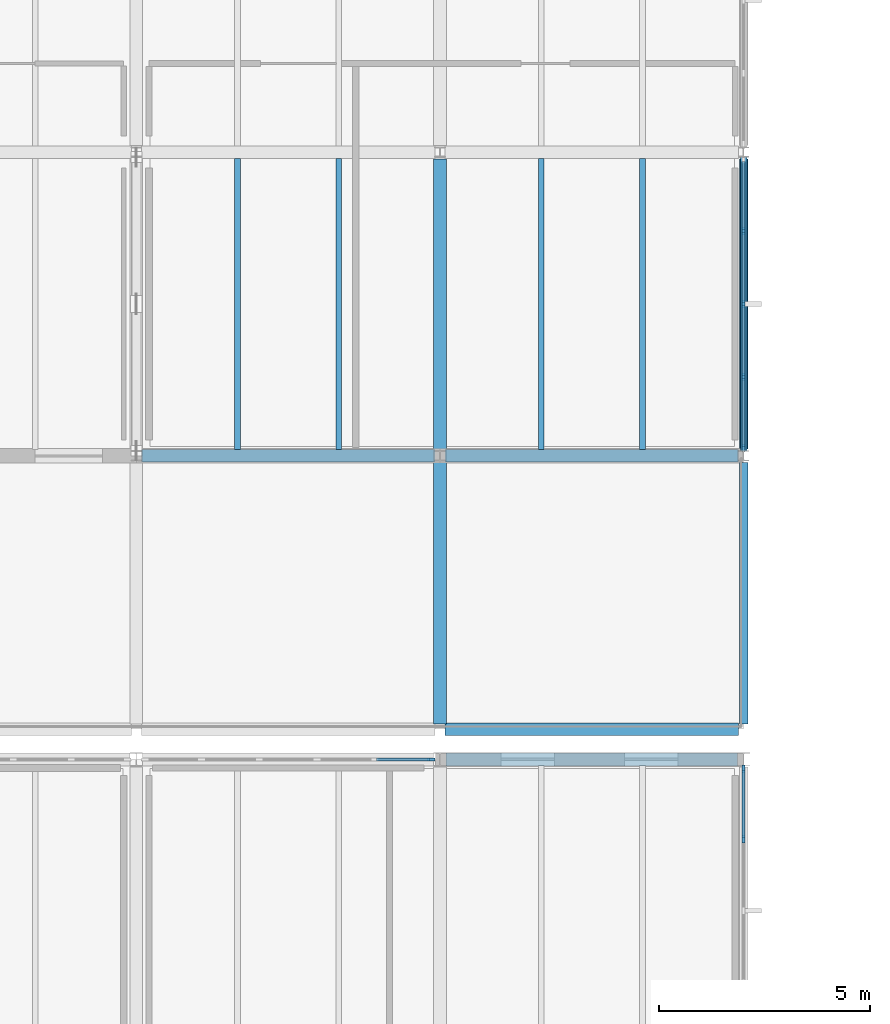
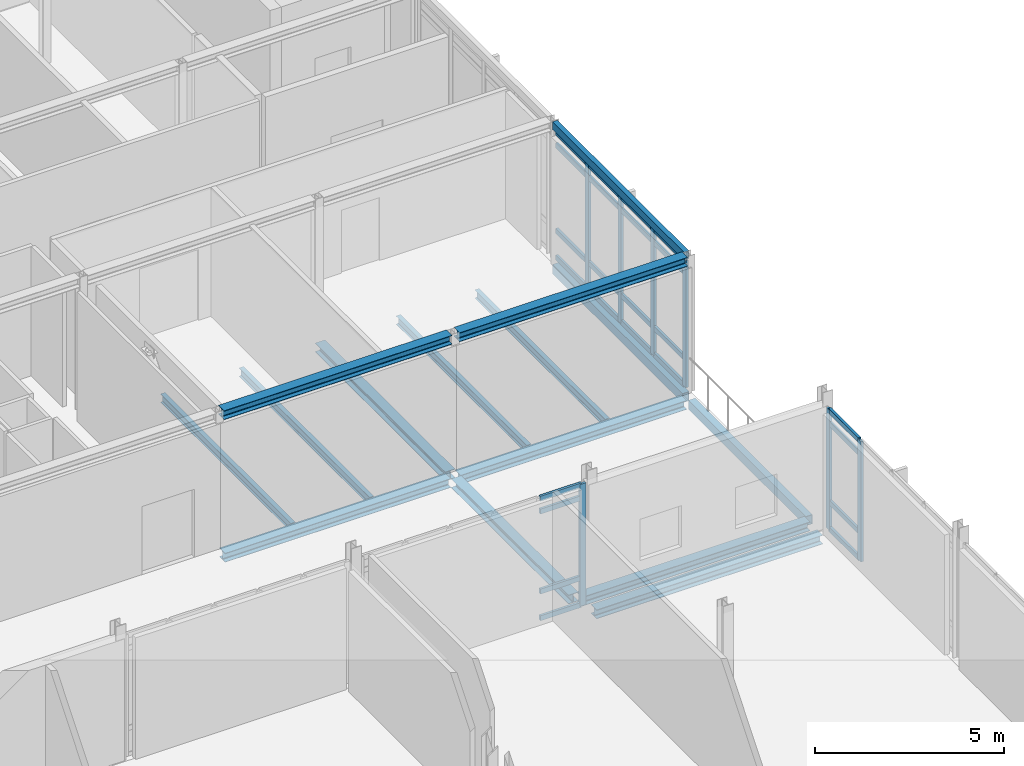
# One storey, part 15 of 53: 31 members, 15 beams, 3 elements without a shape of their own.
"""IFC4 building model written with IfcOpenShell, lengths in metres."""

import ifcopenshell
import ifcopenshell.guid

model = None  # the IFC model being written
_history = None  # IfcOwnerHistory: only IFC2X3 demands one
_inside = {}  # id of a spatial element -> (the spatial element, [elements in it])
_under = {}  # id of a project, library or spatial element -> (it, [spatial elements below it])
_declared = {}  # id of a project -> (the project, [libraries it declares])
_typed = {}  # id of a type object -> (the type object, [elements of that type])
_made_of = {}  # id of a material, layer set ... -> (it, [elements and type objects made of it])


def new_model(schema):
    """Start an empty IFC model of exactly this schema.

    Asked for "IFC4X3", IfcOpenShell would pick the latest addendum, in which some entities
    have other attributes; the version numbers below select the first issue.
    IFC2X3 requires an IfcOwnerHistory on every rooted entity: one is made here for all.
    """
    global model, _history
    if schema == "IFC4X3":
        model = ifcopenshell.file(schema_version=(4, 3, 0, 0))
    else:
        model = ifcopenshell.file(schema=schema)
    _inside.clear()
    _under.clear()
    _declared.clear()
    _typed.clear()
    _made_of.clear()
    _history = None
    if model.schema == "IFC2X3":
        org = make("IfcOrganization", Name="unknown")
        user = make(
            "IfcPersonAndOrganization",
            ThePerson=make("IfcPerson", FamilyName="unknown"),
            TheOrganization=org,
        )
        app = make(
            "IfcApplication",
            ApplicationDeveloper=org,
            Version="unknown",
            ApplicationFullName="unknown",
            ApplicationIdentifier="unknown",
        )
        _history = make(
            "IfcOwnerHistory",
            OwningUser=user,
            OwningApplication=app,
            ChangeAction="ADDED",
            CreationDate=0,
        )
    return model


def make(cls, **values):
    """One entity of the class cls with the attributes given. An attribute that is None is left unset."""
    return model.create_entity(
        cls, **{name: value for name, value in values.items() if value is not None}
    )


def rooted(cls, **values):
    """An entity with a GlobalId (a new one), such as an element, a storey or a relation."""
    return make(cls, GlobalId=ifcopenshell.guid.new(), OwnerHistory=_history, **values)


def si_unit(unit_type, name, prefix=None):
    """IfcSIUnit, for example si_unit("LENGTHUNIT", "METRE", prefix="MILLI")."""
    return make("IfcSIUnit", UnitType=unit_type, Prefix=prefix, Name=name)


def assignment(units):
    """IfcUnitAssignment: the units of a project."""
    return None if units is None else make("IfcUnitAssignment", Units=units)


def point(xyz):
    """IfcCartesianPoint."""
    return None if xyz is None else make("IfcCartesianPoint", Coordinates=xyz)


def direction(xyz):
    """IfcDirection."""
    return None if xyz is None else make("IfcDirection", DirectionRatios=xyz)


def frame(location, z_axis=None, x_axis=None):
    """IfcAxis2Placement3D, a coordinate frame: its origin and axes. An axis left out is left unset."""
    return make(
        "IfcAxis2Placement3D",
        Location=point(location),
        Axis=direction(z_axis),
        RefDirection=direction(x_axis),
    )


def frame_2d(location, x_axis=None):
    """IfcAxis2Placement2D, a coordinate frame in the plane: its origin and x axis."""
    return make(
        "IfcAxis2Placement2D", Location=point(location), RefDirection=direction(x_axis)
    )


def origin():
    """The frame at (0, 0, 0) with its axes left unset."""
    return frame((0.0, 0.0, 0.0))


def origin_2d():
    """The frame at (0, 0) in the plane with its x axis left unset."""
    return frame_2d((0.0, 0.0))


def place(relative_to, where):
    """IfcLocalPlacement: puts the frame where relative to a parent placement (None: the world)."""
    return make(
        "IfcLocalPlacement", PlacementRelTo=relative_to, RelativePlacement=where
    )


def context(
    kind, dimensions, precision=None, world=None, true_north=None, identifier=None
):
    """IfcGeometricRepresentationContext, for example the 3D "Model" context."""
    return make(
        "IfcGeometricRepresentationContext",
        ContextIdentifier=identifier,
        ContextType=kind,
        CoordinateSpaceDimension=dimensions,
        Precision=precision,
        WorldCoordinateSystem=world,
        TrueNorth=true_north,
    )


def subcontext(parent, identifier, kind, view, scale=None):
    """IfcGeometricRepresentationSubContext, for example "Body" below "Model"."""
    return make(
        "IfcGeometricRepresentationSubContext",
        ContextIdentifier=identifier,
        ContextType=kind,
        ParentContext=parent,
        TargetScale=scale,
        TargetView=view,
    )


def project(units=None, contexts=None):
    """IfcProject with its units and contexts."""
    return rooted(
        "IfcProject",
        Name="project",
        RepresentationContexts=contexts,
        UnitsInContext=assignment(units),
    )


def spatial(cls, under=None, at=None, **own):
    """A site, building, storey or space (cls), placed at a placement, below another one or the project."""
    s = rooted(cls, ObjectPlacement=at, **own)
    if under is not None:
        _under.setdefault(under.id(), (under, []))[1].append(s)
    return s


def profile(cls, at=None, kind="AREA", **sizes):
    """A parametric profile (cls). Its sizes go by their IFC names, for example OverallWidth=200.0."""
    return make(cls, ProfileType=kind, Position=at, **sizes)


def rectangle(**sizes):
    """IfcRectangleProfileDef."""
    return profile("IfcRectangleProfileDef", **sizes)


def hollow_rectangle(**sizes):
    """IfcRectangleHollowProfileDef."""
    return profile("IfcRectangleHollowProfileDef", **sizes)


def i_section(**sizes):
    """IfcIShapeProfileDef."""
    return profile("IfcIShapeProfileDef", **sizes)


def extrude(swept, where, along, depth):
    """IfcExtrudedAreaSolid: the profile swept, set in the frame where, extruded along a direction by depth."""
    return make(
        "IfcExtrudedAreaSolid",
        SweptArea=swept,
        Position=where,
        ExtrudedDirection=direction(along),
        Depth=depth,
    )


def shape(context_of_items, identifier, shape_type, items):
    """IfcShapeRepresentation: the items that make up one representation, for example the "Body"."""
    return make(
        "IfcShapeRepresentation",
        ContextOfItems=context_of_items,
        RepresentationIdentifier=identifier,
        RepresentationType=shape_type,
        Items=items,
    )


def material(Name=None, Category=None):
    """IfcMaterial."""
    return make("IfcMaterial", Name=Name, Category=Category)


def layer(
    of_material, thickness, ventilated=None, Name=None, Category=None, Priority=None
):
    """IfcMaterialLayer: one layer of a wall or slab, of a material (None: an air gap)."""
    return make(
        "IfcMaterialLayer",
        Material=of_material,
        LayerThickness=thickness,
        IsVentilated=ventilated,
        Name=Name,
        Category=Category,
        Priority=Priority,
    )


def layer_set(layers, Name=None):
    """IfcMaterialLayerSet."""
    return make("IfcMaterialLayerSet", MaterialLayers=layers, LayerSetName=Name)


def material_profile(
    of_material, cross_section, Name=None, Category=None, Priority=None
):
    """IfcMaterialProfile: a cross section and its material."""
    return make(
        "IfcMaterialProfile",
        Name=Name,
        Material=of_material,
        Profile=cross_section,
        Priority=Priority,
        Category=Category,
    )


def profile_set(profiles, Name=None, composite=None):
    """IfcMaterialProfileSet."""
    return make(
        "IfcMaterialProfileSet",
        Name=Name,
        MaterialProfiles=profiles,
        CompositeProfile=composite,
    )


def made_of(thing, what):
    """Note that an element or type object is made of a material, layer set ...; save() writes the relation."""
    if what is not None:
        _made_of.setdefault(what.id(), (what, []))[1].append(thing)
    return thing


def type_object(cls, material=None, **own):
    """A type object (cls), such as IfcWallType, which elements share."""
    return made_of(rooted(cls, **own), material)


def element(
    cls,
    number,
    at=None,
    inside=None,
    cuts=None,
    type_object=None,
    material=None,
    context=None,
    identifier="Body",
    shape_type=None,
    held_by="IfcProductDefinitionShape",
    body=None,
    shapes=None,
    **own,
):
    """One element of the class cls, such as IfcWall. Its Tag is "e" and its number.

    at: its placement. inside: the storey or other place that contains it. cuts: it is an
    opening in that element (IfcRelVoidsElement). A single representation is given by context,
    identifier, shape_type and body (its items); several are given by shapes. held_by: the class
    of the entity that holds the representations. save() writes the other relations.
    """
    e = rooted(cls, Tag="e%d" % number, ObjectPlacement=at, **own)
    if body is not None:
        shapes = [shape(context, identifier, shape_type, body)]
    if shapes is not None:
        e.Representation = make(held_by, Representations=shapes)
    if inside is not None:
        _inside.setdefault(inside.id(), (inside, []))[1].append(e)
    if cuts is not None:
        rooted(
            "IfcRelVoidsElement", RelatingBuildingElement=cuts, RelatedOpeningElement=e
        )
    if type_object is not None:
        _typed.setdefault(type_object.id(), (type_object, []))[1].append(e)
    return made_of(e, material)


def aggregate(whole, parts):
    """IfcRelAggregates: a whole, such as a stair, and the parts it consists of."""
    return rooted("IfcRelAggregates", RelatingObject=whole, RelatedObjects=parts)


def save(model, path):
    """Write the relations noted so far, then the file.

    IfcRelAggregates (storeys below a building ...), IfcRelContainedInSpatialStructure (elements
    in a storey), IfcRelDefinesByType, IfcRelAssociatesMaterial and IfcRelDeclares: one each for
    every whole, place, type object, material and project.
    """
    for whole, parts in _under.values():
        aggregate(whole, parts)
    for where, things in _inside.values():
        rooted(
            "IfcRelContainedInSpatialStructure",
            RelatedElements=things,
            RelatingStructure=where,
        )
    for kind, things in _typed.values():
        rooted("IfcRelDefinesByType", RelatedObjects=things, RelatingType=kind)
    for what, things in _made_of.values():
        rooted("IfcRelAssociatesMaterial", RelatedObjects=things, RelatingMaterial=what)
    for by, libraries in _declared.values():
        rooted("IfcRelDeclares", RelatingContext=by, RelatedDefinitions=libraries)
    model.write(path)


model = new_model("IFC4")

# Units and contexts
model_context = context("Model", 3, precision=1e-05, world=origin(), true_north=direction((0.0, 1.0)))
body_context = subcontext(model_context, "Body", "Model", "MODEL_VIEW")
ifc_project = project(units=[si_unit("LENGTHUNIT", "METRE"), si_unit("AREAUNIT", "SQUARE_METRE"), si_unit("VOLUMEUNIT", "CUBIC_METRE"), si_unit("PLANEANGLEUNIT", "RADIAN"), si_unit("MASSUNIT", "GRAM", prefix="KILO")], contexts=[model_context])

# Site, building, storey
site_placement = place(None, origin())
site = spatial("IfcSite", under=ifc_project, at=site_placement, CompositionType="ELEMENT")
building_placement = place(site_placement, origin())
building = spatial("IfcBuilding", under=site, at=building_placement, Name="Zarrinpeak Specialist Clinic", CompositionType="ELEMENT")
storey_placement = place(building_placement, frame((0.0, 0.0, 14.0)))
storey = spatial("IfcBuildingStorey", under=building, at=storey_placement, Name="L03", CompositionType="ELEMENT", Elevation=14.0)

# Beams
ifc_material_1 = material(Name="Steel S355", Category="steel")
ifc_material_profile_1 = material_profile(ifc_material_1, i_section(OverallWidth=0.300048828125, OverallDepth=0.2900390625, WebThickness=0.008544921875, FlangeThickness=0.013916015625, FilletRadius=0.027099609375, at=origin_2d()), Name="HEA 300")
ifc_profile_set_1 = profile_set([ifc_material_profile_1], Name="Steel S355")
beam_type_1 = type_object("IfcBeamType", Name="BM-HEA300", PredefinedType="BEAM", material=ifc_profile_set_1)
beam_1_placement = place(storey_placement, frame((21.748046875, 50.39990234375, -0.344970703125), z_axis=(1.0, 0.0, 0.0), x_axis=(0.0, 1.0, 0.0)))
element("IfcBeam", 1, at=beam_1_placement, inside=storey, type_object=beam_type_1, Name="L03 Primary Floor Girder BM-L03-X1548", PredefinedType="BEAM", context=body_context, shape_type="SweptSolid", body=[
    extrude(i_section(OverallWidth=0.300048828125, OverallDepth=0.2900390625, WebThickness=0.008544921875, FlangeThickness=0.013916015625, FilletRadius=0.027099609375, at=origin_2d()), origin(), (0.0, 0.0, 1.0), 6.904052734375),
])
beam_2_placement = place(storey_placement, frame((21.718017578125, 51.1201171875, -0.364990234375), z_axis=(1.0, 0.0, 0.0), x_axis=(0.0, 1.0, 0.0)))
element("IfcBeam", 2, at=beam_2_placement, inside=storey, type_object=beam_type_1, Name="L03 Primary Floor Girder BM-L03-X1552", PredefinedType="BEAM", context=body_context, shape_type="SweptSolid", body=[
    extrude(i_section(OverallWidth=0.300048828125, OverallDepth=0.2900390625, WebThickness=0.008544921875, FlangeThickness=0.013916015625, FilletRadius=0.027099609375, at=origin_2d()), origin(), (0.0, 0.0, 1.0), 6.9638671875),
])
beam_3_placement = place(storey_placement, frame((14.548095703125, 57.60009765625, -0.364990234375), z_axis=(1.0, 0.0, 0.0), x_axis=(0.0, 1.0, 0.0)))
element("IfcBeam", 3, at=beam_3_placement, inside=storey, type_object=beam_type_1, Name="L03 Primary Floor Girder BM-L03-X1555", PredefinedType="BEAM", context=body_context, shape_type="SweptSolid", body=[
    extrude(i_section(OverallWidth=0.300048828125, OverallDepth=0.2900390625, WebThickness=0.008544921875, FlangeThickness=0.013916015625, FilletRadius=0.027099609375, at=origin_2d()), origin(), (0.0, 0.0, 1.0), 6.90380859375),
])
beam_4_placement = place(storey_placement, frame((21.748046875, 57.60009765625, -0.364990234375), z_axis=(1.0, 0.0, 0.0), x_axis=(0.0, 1.0, 0.0)))
element("IfcBeam", 4, at=beam_4_placement, inside=storey, type_object=beam_type_1, Name="L03 Primary Floor Girder BM-L03-X1556", PredefinedType="BEAM", context=body_context, shape_type="SweptSolid", body=[
    extrude(i_section(OverallWidth=0.300048828125, OverallDepth=0.2900390625, WebThickness=0.008544921875, FlangeThickness=0.013916015625, FilletRadius=0.027099609375, at=origin_2d()), origin(), (0.0, 0.0, 1.0), 6.904052734375),
])
beam_5_placement = place(storey_placement, frame((21.60009765625, 51.238037109375, -0.364990234375), z_axis=(0.0, 1.0, 0.0), x_axis=(-1.0, 0.0, 0.0)))
element("IfcBeam", 5, at=beam_5_placement, inside=storey, type_object=beam_type_1, Name="L03 Primary Beam BM-L03-Y1631", PredefinedType="BEAM", context=body_context, shape_type="SweptSolid", body=[
    extrude(i_section(OverallWidth=0.300048828125, OverallDepth=0.2900390625, WebThickness=0.008544921875, FlangeThickness=0.013916015625, FilletRadius=0.027099609375, at=origin_2d()), origin(), (0.0, 0.0, 1.0), 6.203857421875),
])
beam_6_placement = place(storey_placement, frame((21.60009765625, 57.758056640625, -0.344970703125), z_axis=(0.0, 1.0, 0.0), x_axis=(-1.0, 0.0, 0.0)))
element("IfcBeam", 6, at=beam_6_placement, inside=storey, type_object=beam_type_1, Name="L03 Primary Beam BM-L03-Y1632", PredefinedType="BEAM", context=body_context, shape_type="SweptSolid", body=[
    extrude(i_section(OverallWidth=0.300048828125, OverallDepth=0.2900390625, WebThickness=0.008544921875, FlangeThickness=0.013916015625, FilletRadius=0.027099609375, at=origin_2d()), origin(), (0.0, 0.0, 1.0), 6.884033203125),
])
for number, where, z_axis, x_axis, name in (
    (7, (14.51806640625, 57.60009765625, 4.25), (1.0, 0.0, 0.0), (0.0, 1.0, 0.0), "L03 Gable Eave Tie Girder V5 BM-RF-EAVE-2425"),
    (8, (21.718017578125, 57.60009765625, 4.25), (1.0, 0.0, 0.0), (0.0, 1.0, 0.0), "L03 Gable Eave Tie Girder V5 BM-RF-EAVE-2426"),
):
    element("IfcBeam", number, at=place(storey_placement, frame(where, z_axis=z_axis, x_axis=x_axis)), inside=storey, type_object=beam_type_1, Name=name, PredefinedType="BEAM", context=body_context, shape_type="SweptSolid", body=[
        extrude(i_section(OverallWidth=0.300048828125, OverallDepth=0.2900390625, WebThickness=0.008544921875, FlangeThickness=0.013916015625, FilletRadius=0.027099609375, at=origin_2d()), origin(), (0.0, 0.0, 1.0), 6.9638671875),
    ])
ifc_material_profile_2 = material_profile(ifc_material_1, i_section(OverallWidth=0.135009765625, OverallDepth=0.27001953125, WebThickness=0.006591796875, FlangeThickness=0.01025390625, FilletRadius=0.014892578125, at=origin_2d()), Name="IPE 270")
ifc_profile_set_2 = profile_set([ifc_material_profile_2], Name="Steel S355")
beam_type_2 = type_object("IfcBeamType", Name="BM-JST270", PredefinedType="JOIST", material=ifc_profile_set_2)
for number, where, z_axis, x_axis, name in (
    (9, (16.800048828125, 57.748046875, -0.3349609375), (0.0, 1.0, 0.0), (-1.0, 0.0, 0.0), "L03 Composite Floor Joist JST-L03-1772"),
    (10, (19.199951171875, 57.748046875, -0.3349609375), (0.0, 1.0, 0.0), (-1.0, 0.0, 0.0), "L03 Composite Floor Joist JST-L03-1773"),
    (11, (24.0, 57.748046875, -0.3349609375), (0.0, 1.0, 0.0), (-1.0, 0.0, 0.0), "L03 Composite Floor Joist JST-L03-1780"),
    (12, (26.39990234375, 57.748046875, -0.3349609375), (0.0, 1.0, 0.0), (-1.0, 0.0, 0.0), "L03 Composite Floor Joist JST-L03-1781"),
):
    element("IfcBeam", number, at=place(storey_placement, frame(where, z_axis=z_axis, x_axis=x_axis)), inside=storey, type_object=beam_type_2, Name=name, PredefinedType="JOIST", context=body_context, shape_type="SweptSolid", body=[
        extrude(i_section(OverallWidth=0.135009765625, OverallDepth=0.27001953125, WebThickness=0.006591796875, FlangeThickness=0.01025390625, FilletRadius=0.014892578125, at=origin_2d()), origin(), (0.0, 0.0, 1.0), 6.904052734375),
    ])
ifc_material_profile_3 = material_profile(ifc_material_1, hollow_rectangle(XDim=0.14990234375, YDim=0.25, WallThickness=0.010009765625, at=origin_2d()), Name="RHS 250x150x10.0")
ifc_profile_set_3 = profile_set([ifc_material_profile_3], Name="Steel S355")
beam_type_3 = type_object("IfcBeamType", Name="BM-SP250", PredefinedType="SPANDREL", material=ifc_profile_set_3)
beam_7_placement = place(storey_placement, frame((28.800048828125, 57.718017578125, 4.25), z_axis=(0.0, 1.0, 0.0), x_axis=(-1.0, 0.0, 0.0)))
element("IfcBeam", 13, at=beam_7_placement, inside=storey, type_object=beam_type_3, Name="L03 Gable Eave Spandrel Beam V5 BM-RF-SP-2444", PredefinedType="SPANDREL", context=body_context, shape_type="SweptSolid", body=[
    extrude(hollow_rectangle(XDim=0.14990234375, YDim=0.25, WallThickness=0.010009765625, at=origin_2d()), origin(), (0.0, 0.0, 1.0), 6.9638671875),
])
ifc_material_profile_4 = material_profile(ifc_material_1, hollow_rectangle(XDim=0.199951171875, YDim=0.300048828125, WallThickness=0.012451171875, at=origin_2d()), Name="RHS 300x200x12.5")
ifc_profile_set_4 = profile_set([ifc_material_profile_4], Name="Steel S355")
beam_type_4 = type_object("IfcBeamType", Name="BM-SP300", PredefinedType="SPANDREL", material=ifc_profile_set_4)
beam_8_placement = place(storey_placement, frame((28.800048828125, 51.238037109375, -0.3701171875), z_axis=(0.0, 1.0, 0.0), x_axis=(-1.0, 0.0, 0.0)))
element("IfcBeam", 14, at=beam_8_placement, inside=storey, type_object=beam_type_4, Name="L03 Perimeter Spandrel Beam BM-L03-Y1640", PredefinedType="SPANDREL", context=body_context, shape_type="SweptSolid", body=[
    extrude(hollow_rectangle(XDim=0.199951171875, YDim=0.300048828125, WallThickness=0.012451171875, at=origin_2d()), origin(), (0.0, 0.0, 1.0), 6.203857421875),
])
beam_9_placement = place(storey_placement, frame((28.800048828125, 57.758056640625, -0.35009765625), z_axis=(0.0, 1.0, 0.0), x_axis=(-1.0, 0.0, 0.0)))
element("IfcBeam", 15, at=beam_9_placement, inside=storey, type_object=beam_type_4, Name="L03 Perimeter Spandrel Beam BM-L03-Y1641", PredefinedType="SPANDREL", context=body_context, shape_type="SweptSolid", body=[
    extrude(hollow_rectangle(XDim=0.199951171875, YDim=0.300048828125, WallThickness=0.012451171875, at=origin_2d()), origin(), (0.0, 0.0, 1.0), 6.884033203125),
])

# Curtain wall, member
ifc_material_2 = material(Name="Anodised Aluminium Alloy 6063-T6", Category="aluminium")
ifc_layer_1 = layer(ifc_material_2, 0.1650390625)
ifc_layer_set_1 = layer_set([ifc_layer_1], Name="Anodised Aluminium Alloy 6063-T6")
curtain_wall_type_1 = type_object("IfcCurtainWallType", Name="CW-CLINIC", PredefinedType="NOTDEFINED", material=ifc_layer_set_1)
curtain_wall_1_placement = place(storey_placement, origin())
curtain_wall_1 = element("IfcCurtainWall", 16, at=curtain_wall_1_placement, inside=storey, type_object=curtain_wall_type_1, Name="L03 V1 Unitised Curtain Wall CW-L03-V1-020", PredefinedType="NOTDEFINED")
ifc_material_profile_5 = material_profile(ifc_material_2, rectangle(XDim=0.074951171875, YDim=0.179931640625, at=origin_2d()), Name="ALU 75x180")
ifc_profile_set_5 = profile_set([ifc_material_profile_5], Name="Anodised Aluminium Alloy 6063-T6")
member_type_1 = type_object("IfcMemberType", Name="CWM-75", PredefinedType="MULLION", material=ifc_profile_set_5)
member_1_placement = place(storey_placement, frame((21.387451171875, 50.39990234375, 0.0), z_axis=(0.0, 0.0, 1.0), x_axis=(0.0, -1.0, 0.0)))
member_1 = element("IfcMember", 17, at=member_1_placement, type_object=member_type_1, Name="CW-03 mullion 1", PredefinedType="MULLION", context=body_context, shape_type="SweptSolid", body=[
    extrude(rectangle(XDim=0.074951171875, YDim=0.179931640625, at=origin_2d()), origin(), (0.0, 0.0, 1.0), 3.93505859375),
])

# Curtain wall, members
ifc_layer_2 = layer(ifc_material_2, 0.179931640625)
ifc_layer_set_2 = layer_set([ifc_layer_2], Name="Anodised Aluminium Alloy 6063-T6")
curtain_wall_type_2 = type_object("IfcCurtainWallType", Name="CW-COURT", PredefinedType="NOTDEFINED", material=ifc_layer_set_2)
curtain_wall_2_placement = place(storey_placement, origin())
curtain_wall_2 = element("IfcCurtainWall", 18, at=curtain_wall_2_placement, inside=storey, type_object=curtain_wall_type_2, Name="L03 V1 Unitised Curtain Wall CW-L03-V1-024", PredefinedType="NOTDEFINED")
member_2_placement = place(storey_placement, frame((28.800048828125, 48.512451171875, 0.0), z_axis=(0.0, 0.0, 1.0), x_axis=(-1.0, 0.0, 0.0)))
member_2 = element("IfcMember", 19, at=member_2_placement, type_object=member_type_1, Name="CW-01 mullion 4", PredefinedType="MULLION", context=body_context, shape_type="SweptSolid", body=[
    extrude(rectangle(XDim=0.074951171875, YDim=0.179931640625, at=origin_2d()), origin(), (0.0, 0.0, 1.0), 3.885009765625),
])
member_3_placement = place(storey_placement, frame((28.800048828125, 50.177490234375, 0.0), z_axis=(0.0, 0.0, 1.0), x_axis=(-1.0, 0.0, 0.0)))
member_3 = element("IfcMember", 20, at=member_3_placement, type_object=member_type_1, Name="CW-01 mullion 5", PredefinedType="MULLION", context=body_context, shape_type="SweptSolid", body=[
    extrude(rectangle(XDim=0.074951171875, YDim=0.179931640625, at=origin_2d()), origin(), (0.0, 0.0, 1.0), 3.885009765625),
])

curtain_wall_3_placement = place(storey_placement, origin())
curtain_wall_3 = element("IfcCurtainWall", 21, at=curtain_wall_3_placement, inside=storey, type_object=curtain_wall_type_2, Name="L03 V5 Unitised Curtain Wall CW-L03-V5-127", PredefinedType="NOTDEFINED")
member_4_placement = place(storey_placement, frame((28.800048828125, 57.782470703125, 0.0), z_axis=(0.0, 0.0, 1.0), x_axis=(-1.0, 0.0, 0.0)))
member_4 = element("IfcMember", 22, at=member_4_placement, type_object=member_type_1, Name="CW-01 mullion 1", PredefinedType="MULLION", context=body_context, shape_type="SweptSolid", body=[
    extrude(rectangle(XDim=0.074951171875, YDim=0.179931640625, at=origin_2d()), origin(), (0.0, 0.0, 1.0), 4.110107421875),
])
member_5_placement = place(storey_placement, frame((28.800048828125, 59.472412109375, 0.0), z_axis=(0.0, 0.0, 1.0), x_axis=(-1.0, 0.0, 0.0)))
member_5 = element("IfcMember", 23, at=member_5_placement, type_object=member_type_1, Name="CW-01 mullion 2", PredefinedType="MULLION", context=body_context, shape_type="SweptSolid", body=[
    extrude(rectangle(XDim=0.074951171875, YDim=0.179931640625, at=origin_2d()), origin(), (0.0, 0.0, 1.0), 4.110107421875),
])
member_6_placement = place(storey_placement, frame((28.800048828125, 61.199951171875, 0.0), z_axis=(0.0, 0.0, 1.0), x_axis=(-1.0, 0.0, 0.0)))
member_6 = element("IfcMember", 24, at=member_6_placement, type_object=member_type_1, Name="CW-01 mullion 3", PredefinedType="MULLION", context=body_context, shape_type="SweptSolid", body=[
    extrude(rectangle(XDim=0.074951171875, YDim=0.179931640625, at=origin_2d()), origin(), (0.0, 0.0, 1.0), 4.110107421875),
])
member_7_placement = place(storey_placement, frame((28.800048828125, 62.927490234375, 0.0), z_axis=(0.0, 0.0, 1.0), x_axis=(-1.0, 0.0, 0.0)))
member_7 = element("IfcMember", 25, at=member_7_placement, type_object=member_type_1, Name="CW-01 mullion 4", PredefinedType="MULLION", context=body_context, shape_type="SweptSolid", body=[
    extrude(rectangle(XDim=0.074951171875, YDim=0.179931640625, at=origin_2d()), origin(), (0.0, 0.0, 1.0), 4.110107421875),
])

# Member
ifc_material_profile_6 = material_profile(ifc_material_2, rectangle(XDim=0.074951171875, YDim=0.159912109375, at=origin_2d()), Name="ALU 75x160")
ifc_profile_set_6 = profile_set([ifc_material_profile_6], Name="Anodised Aluminium Alloy 6063-T6")
member_type_2 = type_object("IfcMemberType", Name="CWT-75", PredefinedType="USERDEFINED", material=ifc_profile_set_6)
member_8_placement = place(storey_placement, frame((21.35009765625, 50.39990234375, 0.03759765625), z_axis=(-1.0, 0.0, 0.0), x_axis=(0.0, -1.0, 0.0)))
member_8 = element("IfcMember", 26, at=member_8_placement, type_object=member_type_2, Name="CW-03 transom 1.1", ObjectType="TRANSOM", PredefinedType="USERDEFINED", context=body_context, shape_type="SweptSolid", body=[
    extrude(rectangle(XDim=0.074951171875, YDim=0.159912109375, at=origin_2d()), origin(), (0.0, 0.0, 1.0), 1.257568359375),
])

member_9_placement = place(storey_placement, frame((21.35009765625, 50.39990234375, 0.89990234375), z_axis=(-1.0, 0.0, 0.0), x_axis=(0.0, -1.0, 0.0)))
member_9 = element("IfcMember", 27, at=member_9_placement, type_object=member_type_2, Name="CW-03 transom 1.2", ObjectType="TRANSOM", PredefinedType="USERDEFINED", context=body_context, shape_type="SweptSolid", body=[
    extrude(rectangle(XDim=0.074951171875, YDim=0.159912109375, at=origin_2d()), origin(), (0.0, 0.0, 1.0), 1.257568359375),
])

member_10_placement = place(storey_placement, frame((21.35009765625, 50.39990234375, 3.485107421875), z_axis=(-1.0, 0.0, 0.0), x_axis=(0.0, -1.0, 0.0)))
member_10 = element("IfcMember", 28, at=member_10_placement, type_object=member_type_2, Name="CW-03 transom 1.3", ObjectType="TRANSOM", PredefinedType="USERDEFINED", context=body_context, shape_type="SweptSolid", body=[
    extrude(rectangle(XDim=0.074951171875, YDim=0.159912109375, at=origin_2d()), origin(), (0.0, 0.0, 1.0), 1.257568359375),
])

member_11_placement = place(storey_placement, frame((21.35009765625, 50.39990234375, 3.8974609375), z_axis=(-1.0, 0.0, 0.0), x_axis=(0.0, -1.0, 0.0)))
member_11 = element("IfcMember", 29, at=member_11_placement, type_object=member_type_2, Name="CW-03 transom 1.4", ObjectType="TRANSOM", PredefinedType="USERDEFINED", context=body_context, shape_type="SweptSolid", body=[
    extrude(rectangle(XDim=0.074951171875, YDim=0.159912109375, at=origin_2d()), origin(), (0.0, 0.0, 1.0), 1.257568359375),
])

aggregate(curtain_wall_1, [member_1, member_8, member_9, member_10, member_11])

member_12_placement = place(storey_placement, frame((28.800048828125, 48.550048828125, 0.03759765625), z_axis=(0.0, 1.0, 0.0), x_axis=(-1.0, 0.0, 0.0)))
member_12 = element("IfcMember", 30, at=member_12_placement, type_object=member_type_2, Name="CW-01 transom 4.1", ObjectType="TRANSOM", PredefinedType="USERDEFINED", context=body_context, shape_type="SweptSolid", body=[
    extrude(rectangle(XDim=0.074951171875, YDim=0.159912109375, at=origin_2d()), origin(), (0.0, 0.0, 1.0), 1.58984375),
])

member_13_placement = place(storey_placement, frame((28.800048828125, 48.550048828125, 0.89990234375), z_axis=(0.0, 1.0, 0.0), x_axis=(-1.0, 0.0, 0.0)))
member_13 = element("IfcMember", 31, at=member_13_placement, type_object=member_type_2, Name="CW-01 transom 4.2", ObjectType="TRANSOM", PredefinedType="USERDEFINED", context=body_context, shape_type="SweptSolid", body=[
    extrude(rectangle(XDim=0.074951171875, YDim=0.159912109375, at=origin_2d()), origin(), (0.0, 0.0, 1.0), 1.58984375),
])

member_14_placement = place(storey_placement, frame((28.800048828125, 48.550048828125, 3.43505859375), z_axis=(0.0, 1.0, 0.0), x_axis=(-1.0, 0.0, 0.0)))
member_14 = element("IfcMember", 32, at=member_14_placement, type_object=member_type_2, Name="CW-01 transom 4.3", ObjectType="TRANSOM", PredefinedType="USERDEFINED", context=body_context, shape_type="SweptSolid", body=[
    extrude(rectangle(XDim=0.074951171875, YDim=0.159912109375, at=origin_2d()), origin(), (0.0, 0.0, 1.0), 1.58984375),
])

member_15_placement = place(storey_placement, frame((28.800048828125, 48.550048828125, 3.847412109375), z_axis=(0.0, 1.0, 0.0), x_axis=(-1.0, 0.0, 0.0)))
member_15 = element("IfcMember", 33, at=member_15_placement, type_object=member_type_2, Name="CW-01 transom 4.4", ObjectType="TRANSOM", PredefinedType="USERDEFINED", context=body_context, shape_type="SweptSolid", body=[
    extrude(rectangle(XDim=0.074951171875, YDim=0.159912109375, at=origin_2d()), origin(), (0.0, 0.0, 1.0), 1.58984375),
])

aggregate(curtain_wall_2, [member_2, member_3, member_12, member_13, member_14, member_15])

member_16_placement = place(storey_placement, frame((28.800048828125, 57.820068359375, 0.03759765625), z_axis=(0.0, 1.0, 0.0), x_axis=(-1.0, 0.0, 0.0)))
member_16 = element("IfcMember", 34, at=member_16_placement, type_object=member_type_2, Name="CW-01 transom 1.1", ObjectType="TRANSOM", PredefinedType="USERDEFINED", context=body_context, shape_type="SweptSolid", body=[
    extrude(rectangle(XDim=0.074951171875, YDim=0.159912109375, at=origin_2d()), origin(), (0.0, 0.0, 1.0), 1.614990234375),
])

member_17_placement = place(storey_placement, frame((28.800048828125, 57.820068359375, 0.89990234375), z_axis=(0.0, 1.0, 0.0), x_axis=(-1.0, 0.0, 0.0)))
member_17 = element("IfcMember", 35, at=member_17_placement, type_object=member_type_2, Name="CW-01 transom 1.2", ObjectType="TRANSOM", PredefinedType="USERDEFINED", context=body_context, shape_type="SweptSolid", body=[
    extrude(rectangle(XDim=0.074951171875, YDim=0.159912109375, at=origin_2d()), origin(), (0.0, 0.0, 1.0), 1.614990234375),
])

member_18_placement = place(storey_placement, frame((28.800048828125, 57.820068359375, 3.659912109375), z_axis=(0.0, 1.0, 0.0), x_axis=(-1.0, 0.0, 0.0)))
member_18 = element("IfcMember", 36, at=member_18_placement, type_object=member_type_2, Name="CW-01 transom 1.3", ObjectType="TRANSOM", PredefinedType="USERDEFINED", context=body_context, shape_type="SweptSolid", body=[
    extrude(rectangle(XDim=0.074951171875, YDim=0.159912109375, at=origin_2d()), origin(), (0.0, 0.0, 1.0), 1.614990234375),
])

member_19_placement = place(storey_placement, frame((28.800048828125, 57.820068359375, 4.072509765625), z_axis=(0.0, 1.0, 0.0), x_axis=(-1.0, 0.0, 0.0)))
member_19 = element("IfcMember", 37, at=member_19_placement, type_object=member_type_2, Name="CW-01 transom 1.4", ObjectType="TRANSOM", PredefinedType="USERDEFINED", context=body_context, shape_type="SweptSolid", body=[
    extrude(rectangle(XDim=0.074951171875, YDim=0.159912109375, at=origin_2d()), origin(), (0.0, 0.0, 1.0), 1.614990234375),
])

member_20_placement = place(storey_placement, frame((28.800048828125, 59.510009765625, 0.03759765625), z_axis=(0.0, 1.0, 0.0), x_axis=(-1.0, 0.0, 0.0)))
member_20 = element("IfcMember", 38, at=member_20_placement, type_object=member_type_2, Name="CW-01 transom 2.1", ObjectType="TRANSOM", PredefinedType="USERDEFINED", context=body_context, shape_type="SweptSolid", body=[
    extrude(rectangle(XDim=0.074951171875, YDim=0.159912109375, at=origin_2d()), origin(), (0.0, 0.0, 1.0), 1.652587890625),
])

member_21_placement = place(storey_placement, frame((28.800048828125, 59.510009765625, 0.89990234375), z_axis=(0.0, 1.0, 0.0), x_axis=(-1.0, 0.0, 0.0)))
member_21 = element("IfcMember", 39, at=member_21_placement, type_object=member_type_2, Name="CW-01 transom 2.2", ObjectType="TRANSOM", PredefinedType="USERDEFINED", context=body_context, shape_type="SweptSolid", body=[
    extrude(rectangle(XDim=0.074951171875, YDim=0.159912109375, at=origin_2d()), origin(), (0.0, 0.0, 1.0), 1.652587890625),
])

member_22_placement = place(storey_placement, frame((28.800048828125, 59.510009765625, 3.659912109375), z_axis=(0.0, 1.0, 0.0), x_axis=(-1.0, 0.0, 0.0)))
member_22 = element("IfcMember", 40, at=member_22_placement, type_object=member_type_2, Name="CW-01 transom 2.3", ObjectType="TRANSOM", PredefinedType="USERDEFINED", context=body_context, shape_type="SweptSolid", body=[
    extrude(rectangle(XDim=0.074951171875, YDim=0.159912109375, at=origin_2d()), origin(), (0.0, 0.0, 1.0), 1.652587890625),
])

member_23_placement = place(storey_placement, frame((28.800048828125, 59.510009765625, 4.072509765625), z_axis=(0.0, 1.0, 0.0), x_axis=(-1.0, 0.0, 0.0)))
member_23 = element("IfcMember", 41, at=member_23_placement, type_object=member_type_2, Name="CW-01 transom 2.4", ObjectType="TRANSOM", PredefinedType="USERDEFINED", context=body_context, shape_type="SweptSolid", body=[
    extrude(rectangle(XDim=0.074951171875, YDim=0.159912109375, at=origin_2d()), origin(), (0.0, 0.0, 1.0), 1.652587890625),
])

member_24_placement = place(storey_placement, frame((28.800048828125, 61.237548828125, 0.03759765625), z_axis=(0.0, 1.0, 0.0), x_axis=(-1.0, 0.0, 0.0)))
member_24 = element("IfcMember", 42, at=member_24_placement, type_object=member_type_2, Name="CW-01 transom 3.1", ObjectType="TRANSOM", PredefinedType="USERDEFINED", context=body_context, shape_type="SweptSolid", body=[
    extrude(rectangle(XDim=0.074951171875, YDim=0.159912109375, at=origin_2d()), origin(), (0.0, 0.0, 1.0), 1.65234375),
])

member_25_placement = place(storey_placement, frame((28.800048828125, 61.237548828125, 0.89990234375), z_axis=(0.0, 1.0, 0.0), x_axis=(-1.0, 0.0, 0.0)))
member_25 = element("IfcMember", 43, at=member_25_placement, type_object=member_type_2, Name="CW-01 transom 3.2", ObjectType="TRANSOM", PredefinedType="USERDEFINED", context=body_context, shape_type="SweptSolid", body=[
    extrude(rectangle(XDim=0.074951171875, YDim=0.159912109375, at=origin_2d()), origin(), (0.0, 0.0, 1.0), 1.65234375),
])

member_26_placement = place(storey_placement, frame((28.800048828125, 61.237548828125, 3.659912109375), z_axis=(0.0, 1.0, 0.0), x_axis=(-1.0, 0.0, 0.0)))
member_26 = element("IfcMember", 44, at=member_26_placement, type_object=member_type_2, Name="CW-01 transom 3.3", ObjectType="TRANSOM", PredefinedType="USERDEFINED", context=body_context, shape_type="SweptSolid", body=[
    extrude(rectangle(XDim=0.074951171875, YDim=0.159912109375, at=origin_2d()), origin(), (0.0, 0.0, 1.0), 1.65234375),
])

member_27_placement = place(storey_placement, frame((28.800048828125, 61.237548828125, 4.072509765625), z_axis=(0.0, 1.0, 0.0), x_axis=(-1.0, 0.0, 0.0)))
member_27 = element("IfcMember", 45, at=member_27_placement, type_object=member_type_2, Name="CW-01 transom 3.4", ObjectType="TRANSOM", PredefinedType="USERDEFINED", context=body_context, shape_type="SweptSolid", body=[
    extrude(rectangle(XDim=0.074951171875, YDim=0.159912109375, at=origin_2d()), origin(), (0.0, 0.0, 1.0), 1.65234375),
])

member_28_placement = place(storey_placement, frame((28.800048828125, 62.965087890625, 0.03759765625), z_axis=(0.0, 1.0, 0.0), x_axis=(-1.0, 0.0, 0.0)))
member_28 = element("IfcMember", 46, at=member_28_placement, type_object=member_type_2, Name="CW-01 transom 4.1", ObjectType="TRANSOM", PredefinedType="USERDEFINED", context=body_context, shape_type="SweptSolid", body=[
    extrude(rectangle(XDim=0.074951171875, YDim=0.159912109375, at=origin_2d()), origin(), (0.0, 0.0, 1.0), 1.614990234375),
])

member_29_placement = place(storey_placement, frame((28.800048828125, 62.965087890625, 0.89990234375), z_axis=(0.0, 1.0, 0.0), x_axis=(-1.0, 0.0, 0.0)))
member_29 = element("IfcMember", 47, at=member_29_placement, type_object=member_type_2, Name="CW-01 transom 4.2", ObjectType="TRANSOM", PredefinedType="USERDEFINED", context=body_context, shape_type="SweptSolid", body=[
    extrude(rectangle(XDim=0.074951171875, YDim=0.159912109375, at=origin_2d()), origin(), (0.0, 0.0, 1.0), 1.614990234375),
])

member_30_placement = place(storey_placement, frame((28.800048828125, 62.965087890625, 3.659912109375), z_axis=(0.0, 1.0, 0.0), x_axis=(-1.0, 0.0, 0.0)))
member_30 = element("IfcMember", 48, at=member_30_placement, type_object=member_type_2, Name="CW-01 transom 4.3", ObjectType="TRANSOM", PredefinedType="USERDEFINED", context=body_context, shape_type="SweptSolid", body=[
    extrude(rectangle(XDim=0.074951171875, YDim=0.159912109375, at=origin_2d()), origin(), (0.0, 0.0, 1.0), 1.614990234375),
])

member_31_placement = place(storey_placement, frame((28.800048828125, 62.965087890625, 4.072509765625), z_axis=(0.0, 1.0, 0.0), x_axis=(-1.0, 0.0, 0.0)))
member_31 = element("IfcMember", 49, at=member_31_placement, type_object=member_type_2, Name="CW-01 transom 4.4", ObjectType="TRANSOM", PredefinedType="USERDEFINED", context=body_context, shape_type="SweptSolid", body=[
    extrude(rectangle(XDim=0.074951171875, YDim=0.159912109375, at=origin_2d()), origin(), (0.0, 0.0, 1.0), 1.614990234375),
])

aggregate(curtain_wall_3, [member_4, member_5, member_6, member_7, member_16, member_17, member_18, member_19, member_20, member_21, member_22, member_23, member_24, member_25, member_26, member_27, member_28, member_29, member_30, member_31])

save(model, "model.ifc")
